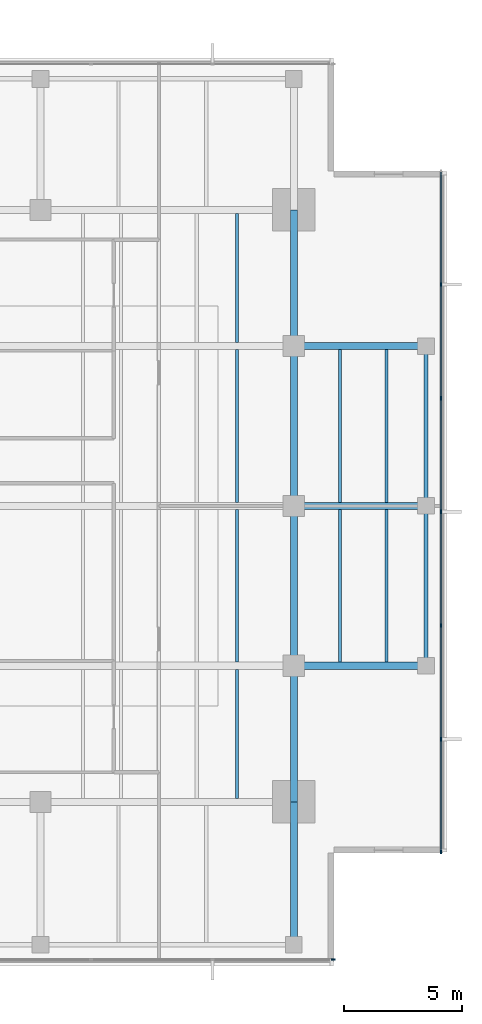
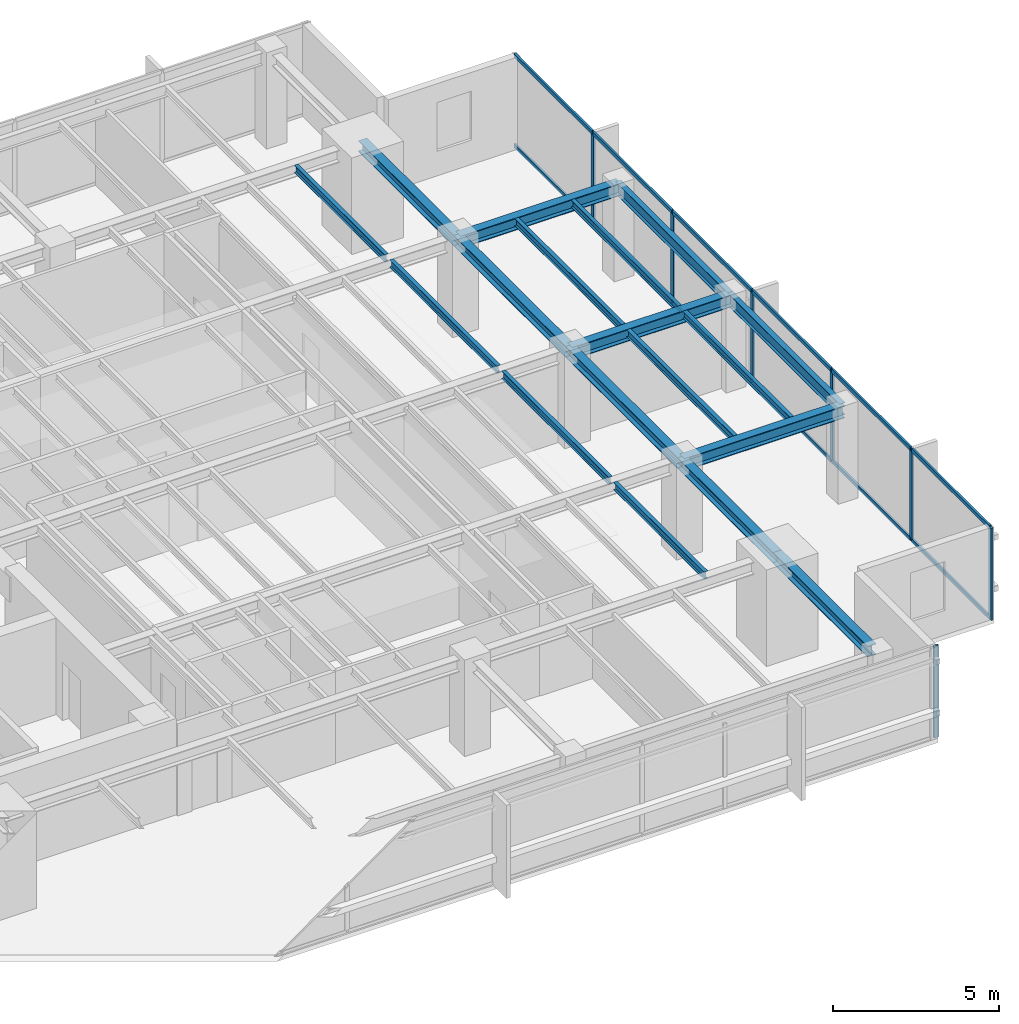
# One storey, part 4 of 14: 19 members, 18 beams, 2 elements without a shape of their own.
"""IFC4 building model written with IfcOpenShell, lengths in metres."""

from ifc_helpers import new_model, si_unit, direction, frame, origin, origin_2d, place, context, subcontext, project, spatial, rectangle, i_section, extrude, material, layer, layer_set, material_profile, profile_set, type_object, element, aggregate, save


model = new_model("IFC4")

# Units and contexts
model_context = context("Model", 3, precision=1e-05, world=origin(), true_north=direction((0.0, 1.0)))
body_context = subcontext(model_context, "Body", "Model", "MODEL_VIEW")
ifc_project = project(units=[si_unit("LENGTHUNIT", "METRE"), si_unit("AREAUNIT", "SQUARE_METRE"), si_unit("VOLUMEUNIT", "CUBIC_METRE"), si_unit("PLANEANGLEUNIT", "RADIAN"), si_unit("MASSUNIT", "GRAM", prefix="KILO")], contexts=[model_context])

# Site, building, storey
site_placement = place(None, origin())
site = spatial("IfcSite", under=ifc_project, at=site_placement, CompositionType="ELEMENT")
building_placement = place(site_placement, origin())
building = spatial("IfcBuilding", under=site, at=building_placement, Name="Kinhvarn Gate Tower", CompositionType="ELEMENT")
storey_placement = place(building_placement, frame((0.0, 0.0, 267.0)))
storey = spatial("IfcBuildingStorey", under=building, at=storey_placement, Name="L71", CompositionType="ELEMENT", Elevation=267.0)

# Curtain wall, member
ifc_material_1 = material(Name="Anodised aluminium AW-6063", Category="aluminium")
ifc_layer = layer(ifc_material_1, 0.179931640625)
ifc_layer_set = layer_set([ifc_layer], Name="Anodised aluminium AW-6063")
curtain_wall_type = type_object("IfcCurtainWallType", Name="CW-SYS-3", PredefinedType="NOTDEFINED", material=ifc_layer_set)
curtain_wall_1_placement = place(storey_placement, origin())
curtain_wall_1 = element("IfcCurtainWall", 1, at=curtain_wall_1_placement, inside=storey, type_object=curtain_wall_type, Name="Curtain Wall CW3 (L71)", PredefinedType="NOTDEFINED")
ifc_material_profile_1 = material_profile(ifc_material_1, rectangle(XDim=0.06494140625, YDim=0.159912109375, at=origin_2d()), Name="ALU 65x160")
ifc_profile_set_1 = profile_set([ifc_material_profile_1], Name="Anodised aluminium AW-6063")
member_type_1 = type_object("IfcMemberType", Name="CW-MUL-160", PredefinedType="MULLION", material=ifc_profile_set_1)
member_1_placement = place(storey_placement, frame((39.867431640625, 6.090087890625, 0.0), z_axis=(0.0, 0.0, 1.0), x_axis=(0.0, 1.0, 0.0)))
member_1 = element("IfcMember", 2, at=member_1_placement, type_object=member_type_1, Name="CW3 mullion 7", PredefinedType="MULLION", context=body_context, shape_type="SweptSolid", body=[
    extrude(rectangle(XDim=0.06494140625, YDim=0.159912109375, at=origin_2d()), origin(), (0.0, 0.0, 1.0), 3.389892578125),
])
aggregate(curtain_wall_1, [member_1])

# Curtain wall, members
curtain_wall_2_placement = place(storey_placement, origin())
curtain_wall_2 = element("IfcCurtainWall", 3, at=curtain_wall_2_placement, inside=storey, type_object=curtain_wall_type, Name="Curtain Wall CW3 (L71)", PredefinedType="NOTDEFINED")
member_2_placement = place(storey_placement, frame((44.409912109375, 10.632568359375, 0.0), z_axis=(0.0, 0.0, 1.0), x_axis=(-1.0, 0.0, 0.0)))
member_2 = element("IfcMember", 4, at=member_2_placement, type_object=member_type_1, Name="CW3 mullion 1", PredefinedType="MULLION", context=body_context, shape_type="SweptSolid", body=[
    extrude(rectangle(XDim=0.06494140625, YDim=0.159912109375, at=origin_2d()), origin(), (0.0, 0.0, 1.0), 3.389892578125),
])
member_3_placement = place(storey_placement, frame((44.409912109375, 15.39990234375, 0.0), z_axis=(0.0, 0.0, 1.0), x_axis=(-1.0, 0.0, 0.0)))
member_3 = element("IfcMember", 5, at=member_3_placement, type_object=member_type_1, Name="CW3 mullion 2", PredefinedType="MULLION", context=body_context, shape_type="SweptSolid", body=[
    extrude(rectangle(XDim=0.06494140625, YDim=0.159912109375, at=origin_2d()), origin(), (0.0, 0.0, 1.0), 3.389892578125),
])
member_4_placement = place(storey_placement, frame((44.409912109375, 20.199951171875, 0.0), z_axis=(0.0, 0.0, 1.0), x_axis=(-1.0, 0.0, 0.0)))
member_4 = element("IfcMember", 6, at=member_4_placement, type_object=member_type_1, Name="CW3 mullion 3", PredefinedType="MULLION", context=body_context, shape_type="SweptSolid", body=[
    extrude(rectangle(XDim=0.06494140625, YDim=0.159912109375, at=origin_2d()), origin(), (0.0, 0.0, 1.0), 3.389892578125),
])
member_5_placement = place(storey_placement, frame((44.409912109375, 25.0, 0.0), z_axis=(0.0, 0.0, 1.0), x_axis=(-1.0, 0.0, 0.0)))
member_5 = element("IfcMember", 7, at=member_5_placement, type_object=member_type_1, Name="CW3 mullion 4", PredefinedType="MULLION", context=body_context, shape_type="SweptSolid", body=[
    extrude(rectangle(XDim=0.06494140625, YDim=0.159912109375, at=origin_2d()), origin(), (0.0, 0.0, 1.0), 3.389892578125),
])
member_6_placement = place(storey_placement, frame((44.409912109375, 29.800048828125, 0.0), z_axis=(0.0, 0.0, 1.0), x_axis=(-1.0, 0.0, 0.0)))
member_6 = element("IfcMember", 8, at=member_6_placement, type_object=member_type_1, Name="CW3 mullion 5", PredefinedType="MULLION", context=body_context, shape_type="SweptSolid", body=[
    extrude(rectangle(XDim=0.06494140625, YDim=0.159912109375, at=origin_2d()), origin(), (0.0, 0.0, 1.0), 3.389892578125),
])
member_7_placement = place(storey_placement, frame((44.409912109375, 34.60009765625, 0.0), z_axis=(0.0, 0.0, 1.0), x_axis=(-1.0, 0.0, 0.0)))
member_7 = element("IfcMember", 9, at=member_7_placement, type_object=member_type_1, Name="CW3 mullion 6", PredefinedType="MULLION", context=body_context, shape_type="SweptSolid", body=[
    extrude(rectangle(XDim=0.06494140625, YDim=0.159912109375, at=origin_2d()), origin(), (0.0, 0.0, 1.0), 3.389892578125),
])
ifc_material_profile_2 = material_profile(ifc_material_1, rectangle(XDim=0.070068359375, YDim=0.139892578125, at=origin_2d()), Name="ALU 70x140")
ifc_profile_set_2 = profile_set([ifc_material_profile_2], Name="Anodised aluminium AW-6063")
member_type_2 = type_object("IfcMemberType", Name="CW-TRN-140", PredefinedType="USERDEFINED", material=ifc_profile_set_2)
member_8_placement = place(storey_placement, frame((44.409912109375, 10.6650390625, 0.034912109375), z_axis=(0.0, 1.0, 0.0), x_axis=(-1.0, 0.0, 0.0)))
member_8 = element("IfcMember", 10, at=member_8_placement, type_object=member_type_2, Name="CW3 transom 1.1", ObjectType="TRANSOM", PredefinedType="USERDEFINED", context=body_context, shape_type="SweptSolid", body=[
    extrude(rectangle(XDim=0.070068359375, YDim=0.139892578125, at=origin_2d()), origin(), (0.0, 0.0, 1.0), 4.702392578125),
])
member_9_placement = place(storey_placement, frame((44.409912109375, 10.6650390625, 3.35498046875), z_axis=(0.0, 1.0, 0.0), x_axis=(-1.0, 0.0, 0.0)))
member_9 = element("IfcMember", 11, at=member_9_placement, type_object=member_type_2, Name="CW3 transom 1.2", ObjectType="TRANSOM", PredefinedType="USERDEFINED", context=body_context, shape_type="SweptSolid", body=[
    extrude(rectangle(XDim=0.070068359375, YDim=0.139892578125, at=origin_2d()), origin(), (0.0, 0.0, 1.0), 4.702392578125),
])
member_10_placement = place(storey_placement, frame((44.409912109375, 15.4326171875, 0.034912109375), z_axis=(0.0, 1.0, 0.0), x_axis=(-1.0, 0.0, 0.0)))
member_10 = element("IfcMember", 12, at=member_10_placement, type_object=member_type_2, Name="CW3 transom 2.1", ObjectType="TRANSOM", PredefinedType="USERDEFINED", context=body_context, shape_type="SweptSolid", body=[
    extrude(rectangle(XDim=0.070068359375, YDim=0.139892578125, at=origin_2d()), origin(), (0.0, 0.0, 1.0), 4.73486328125),
])
member_11_placement = place(storey_placement, frame((44.409912109375, 15.4326171875, 3.35498046875), z_axis=(0.0, 1.0, 0.0), x_axis=(-1.0, 0.0, 0.0)))
member_11 = element("IfcMember", 13, at=member_11_placement, type_object=member_type_2, Name="CW3 transom 2.2", ObjectType="TRANSOM", PredefinedType="USERDEFINED", context=body_context, shape_type="SweptSolid", body=[
    extrude(rectangle(XDim=0.070068359375, YDim=0.139892578125, at=origin_2d()), origin(), (0.0, 0.0, 1.0), 4.73486328125),
])
member_12_placement = place(storey_placement, frame((44.409912109375, 20.232421875, 0.034912109375), z_axis=(0.0, 1.0, 0.0), x_axis=(-1.0, 0.0, 0.0)))
member_12 = element("IfcMember", 14, at=member_12_placement, type_object=member_type_2, Name="CW3 transom 3.1", ObjectType="TRANSOM", PredefinedType="USERDEFINED", context=body_context, shape_type="SweptSolid", body=[
    extrude(rectangle(XDim=0.070068359375, YDim=0.139892578125, at=origin_2d()), origin(), (0.0, 0.0, 1.0), 4.735107421875),
])
member_13_placement = place(storey_placement, frame((44.409912109375, 20.232421875, 3.35498046875), z_axis=(0.0, 1.0, 0.0), x_axis=(-1.0, 0.0, 0.0)))
member_13 = element("IfcMember", 15, at=member_13_placement, type_object=member_type_2, Name="CW3 transom 3.2", ObjectType="TRANSOM", PredefinedType="USERDEFINED", context=body_context, shape_type="SweptSolid", body=[
    extrude(rectangle(XDim=0.070068359375, YDim=0.139892578125, at=origin_2d()), origin(), (0.0, 0.0, 1.0), 4.735107421875),
])
member_14_placement = place(storey_placement, frame((44.409912109375, 25.032470703125, 0.034912109375), z_axis=(0.0, 1.0, 0.0), x_axis=(-1.0, 0.0, 0.0)))
member_14 = element("IfcMember", 16, at=member_14_placement, type_object=member_type_2, Name="CW3 transom 4.1", ObjectType="TRANSOM", PredefinedType="USERDEFINED", context=body_context, shape_type="SweptSolid", body=[
    extrude(rectangle(XDim=0.070068359375, YDim=0.139892578125, at=origin_2d()), origin(), (0.0, 0.0, 1.0), 4.735107421875),
])
member_15_placement = place(storey_placement, frame((44.409912109375, 25.032470703125, 3.35498046875), z_axis=(0.0, 1.0, 0.0), x_axis=(-1.0, 0.0, 0.0)))
member_15 = element("IfcMember", 17, at=member_15_placement, type_object=member_type_2, Name="CW3 transom 4.2", ObjectType="TRANSOM", PredefinedType="USERDEFINED", context=body_context, shape_type="SweptSolid", body=[
    extrude(rectangle(XDim=0.070068359375, YDim=0.139892578125, at=origin_2d()), origin(), (0.0, 0.0, 1.0), 4.735107421875),
])
member_16_placement = place(storey_placement, frame((44.409912109375, 29.83251953125, 0.034912109375), z_axis=(0.0, 1.0, 0.0), x_axis=(-1.0, 0.0, 0.0)))
member_16 = element("IfcMember", 18, at=member_16_placement, type_object=member_type_2, Name="CW3 transom 5.1", ObjectType="TRANSOM", PredefinedType="USERDEFINED", context=body_context, shape_type="SweptSolid", body=[
    extrude(rectangle(XDim=0.070068359375, YDim=0.139892578125, at=origin_2d()), origin(), (0.0, 0.0, 1.0), 4.73486328125),
])
member_17_placement = place(storey_placement, frame((44.409912109375, 29.83251953125, 3.35498046875), z_axis=(0.0, 1.0, 0.0), x_axis=(-1.0, 0.0, 0.0)))
member_17 = element("IfcMember", 19, at=member_17_placement, type_object=member_type_2, Name="CW3 transom 5.2", ObjectType="TRANSOM", PredefinedType="USERDEFINED", context=body_context, shape_type="SweptSolid", body=[
    extrude(rectangle(XDim=0.070068359375, YDim=0.139892578125, at=origin_2d()), origin(), (0.0, 0.0, 1.0), 4.73486328125),
])
member_18_placement = place(storey_placement, frame((44.409912109375, 34.632568359375, 0.034912109375), z_axis=(0.0, 1.0, 0.0), x_axis=(-1.0, 0.0, 0.0)))
member_18 = element("IfcMember", 20, at=member_18_placement, type_object=member_type_2, Name="CW3 transom 6.1", ObjectType="TRANSOM", PredefinedType="USERDEFINED", context=body_context, shape_type="SweptSolid", body=[
    extrude(rectangle(XDim=0.070068359375, YDim=0.139892578125, at=origin_2d()), origin(), (0.0, 0.0, 1.0), 4.702392578125),
])
member_19_placement = place(storey_placement, frame((44.409912109375, 34.632568359375, 3.35498046875), z_axis=(0.0, 1.0, 0.0), x_axis=(-1.0, 0.0, 0.0)))
member_19 = element("IfcMember", 21, at=member_19_placement, type_object=member_type_2, Name="CW3 transom 6.2", ObjectType="TRANSOM", PredefinedType="USERDEFINED", context=body_context, shape_type="SweptSolid", body=[
    extrude(rectangle(XDim=0.070068359375, YDim=0.139892578125, at=origin_2d()), origin(), (0.0, 0.0, 1.0), 4.702392578125),
])
aggregate(curtain_wall_2, [member_2, member_3, member_4, member_5, member_6, member_7, member_8, member_9, member_10, member_11, member_12, member_13, member_14, member_15, member_16, member_17, member_18, member_19])

# Beams
ifc_material_2 = material(Name="Steel S355", Category="steel")
ifc_material_profile_3 = material_profile(ifc_material_2, i_section(OverallWidth=0.300048828125, OverallDepth=0.39990234375, WebThickness=0.013427734375, FlangeThickness=0.02392578125, at=origin_2d()), Name="HEB 400")
ifc_profile_set_3 = profile_set([ifc_material_profile_3], Name="Steel S355")
beam_type_1 = type_object("IfcBeamType", Name="STL-HEB400", PredefinedType="BEAM", material=ifc_profile_set_3)
beam_1_placement = place(storey_placement, frame((38.199951171875, 7.054931640625, 3.18994140625), z_axis=(0.0, 1.0, 0.0), x_axis=(-1.0, 0.0, 0.0)))
element("IfcBeam", 22, at=beam_1_placement, inside=storey, type_object=beam_type_1, Name="Floor Beam PG-12 (L71 MCE-S)", PredefinedType="BEAM", context=body_context, shape_type="SweptSolid", body=[
    extrude(i_section(OverallWidth=0.300048828125, OverallDepth=0.39990234375, WebThickness=0.013427734375, FlangeThickness=0.02392578125, at=origin_2d()), origin(), (0.0, 0.0, 1.0), 5.695068359375),
])
beam_2_placement = place(storey_placement, frame((38.199951171875, 12.75, 3.18994140625), z_axis=(0.0, 1.0, 0.0), x_axis=(-1.0, 0.0, 0.0)))
element("IfcBeam", 23, at=beam_2_placement, inside=storey, type_object=beam_type_1, Name="Floor Beam PG-12 (L71 MG-E-12)", PredefinedType="BEAM", context=body_context, shape_type="SweptSolid", body=[
    extrude(i_section(OverallWidth=0.300048828125, OverallDepth=0.39990234375, WebThickness=0.013427734375, FlangeThickness=0.02392578125, at=origin_2d()), origin(), (0.0, 0.0, 1.0), 5.75),
])
for number, where, z_axis, x_axis, name in (
    (24, (38.199951171875, 18.5, 3.18994140625), (0.0, 1.0, 0.0), (-1.0, 0.0, 0.0), "Floor Beam PG-12 (L71 MG-E-18)"),
    (25, (38.199951171875, 25.25, 3.18994140625), (0.0, 1.0, 0.0), (-1.0, 0.0, 0.0), "Floor Beam PG-12 (L71 MG-E-25)"),
):
    element("IfcBeam", number, at=place(storey_placement, frame(where, z_axis=z_axis, x_axis=x_axis)), inside=storey, type_object=beam_type_1, Name=name, PredefinedType="BEAM", context=body_context, shape_type="SweptSolid", body=[
        extrude(i_section(OverallWidth=0.300048828125, OverallDepth=0.39990234375, WebThickness=0.013427734375, FlangeThickness=0.02392578125, at=origin_2d()), origin(), (0.0, 0.0, 1.0), 6.75),
    ])
beam_3_placement = place(storey_placement, frame((38.199951171875, 32.0, 3.18994140625), z_axis=(0.0, 1.0, 0.0), x_axis=(-1.0, 0.0, 0.0)))
element("IfcBeam", 26, at=beam_3_placement, inside=storey, type_object=beam_type_1, Name="Floor Beam PG-12 (L71 MG-E-32)", PredefinedType="BEAM", context=body_context, shape_type="SweptSolid", body=[
    extrude(i_section(OverallWidth=0.300048828125, OverallDepth=0.39990234375, WebThickness=0.013427734375, FlangeThickness=0.02392578125, at=origin_2d()), origin(), (0.0, 0.0, 1.0), 5.75),
])
ifc_material_profile_4 = material_profile(ifc_material_2, i_section(OverallWidth=0.300048828125, OverallDepth=0.449951171875, WebThickness=0.013916015625, FlangeThickness=0.02587890625, at=origin_2d()), Name="HEB 450")
ifc_profile_set_4 = profile_set([ifc_material_profile_4], Name="Steel S355")
beam_type_2 = type_object("IfcBeamType", Name="STL-HEB450", PredefinedType="BEAM", material=ifc_profile_set_4)
for number, where, z_axis, x_axis, name in (
    (27, (38.199951171875, 18.5, 3.1650390625), (1.0, 0.0, 0.0), (0.0, 1.0, 0.0), "Floor Beam PG-13 (L71 EW2-Y18)"),
    (28, (38.199951171875, 25.25, 3.1650390625), (1.0, 0.0, 0.0), (0.0, 1.0, 0.0), "Floor Beam PG-13 (L71 EW2-Y25)"),
    (29, (38.199951171875, 32.0, 3.1650390625), (1.0, 0.0, 0.0), (0.0, 1.0, 0.0), "Floor Beam PG-13 (L71 EW2-Y32)"),
):
    element("IfcBeam", number, at=place(storey_placement, frame(where, z_axis=z_axis, x_axis=x_axis)), inside=storey, type_object=beam_type_2, Name=name, PredefinedType="BEAM", context=body_context, shape_type="SweptSolid", body=[
        extrude(i_section(OverallWidth=0.300048828125, OverallDepth=0.449951171875, WebThickness=0.013916015625, FlangeThickness=0.02587890625, at=origin_2d()), origin(), (0.0, 0.0, 1.0), 5.580078125),
    ])
ifc_material_profile_5 = material_profile(ifc_material_2, i_section(OverallWidth=0.135009765625, OverallDepth=0.27001953125, WebThickness=0.006591796875, FlangeThickness=0.01025390625, at=origin_2d()), Name="IPE 270")
ifc_profile_set_5 = profile_set([ifc_material_profile_5], Name="Steel S355")
beam_type_3 = type_object("IfcBeamType", Name="STL-IPE270", PredefinedType="JOIST", material=ifc_profile_set_5)
beam_4_placement = place(storey_placement, frame((35.800048828125, 12.89990234375, 3.2548828125), z_axis=(0.0, 1.0, 0.0), x_axis=(-1.0, 0.0, 0.0)))
element("IfcBeam", 30, at=beam_4_placement, inside=storey, type_object=beam_type_3, Name="Floor Joist SB-01 (L71 JC-X358-0)", PredefinedType="JOIST", context=body_context, shape_type="SweptSolid", body=[
    extrude(i_section(OverallWidth=0.135009765625, OverallDepth=0.27001953125, WebThickness=0.006591796875, FlangeThickness=0.01025390625, at=origin_2d()), origin(), (0.0, 0.0, 1.0), 5.4501953125),
])
for number, where, z_axis, x_axis, name in (
    (31, (35.800048828125, 18.64990234375, 3.2548828125), (0.0, 1.0, 0.0), (-1.0, 0.0, 0.0), "Floor Joist SB-01 (L71 JC-X358-1)"),
    (32, (35.800048828125, 25.39990234375, 3.2548828125), (0.0, 1.0, 0.0), (-1.0, 0.0, 0.0), "Floor Joist SB-01 (L71 JC-X358-2)"),
):
    element("IfcBeam", number, at=place(storey_placement, frame(where, z_axis=z_axis, x_axis=x_axis)), inside=storey, type_object=beam_type_3, Name=name, PredefinedType="JOIST", context=body_context, shape_type="SweptSolid", body=[
        extrude(i_section(OverallWidth=0.135009765625, OverallDepth=0.27001953125, WebThickness=0.006591796875, FlangeThickness=0.01025390625, at=origin_2d()), origin(), (0.0, 0.0, 1.0), 6.4501953125),
    ])
beam_5_placement = place(storey_placement, frame((35.800048828125, 32.14990234375, 3.2548828125), z_axis=(0.0, 1.0, 0.0), x_axis=(-1.0, 0.0, 0.0)))
element("IfcBeam", 33, at=beam_5_placement, inside=storey, type_object=beam_type_3, Name="Floor Joist SB-01 (L71 JC-X358-3)", PredefinedType="JOIST", context=body_context, shape_type="SweptSolid", body=[
    extrude(i_section(OverallWidth=0.135009765625, OverallDepth=0.27001953125, WebThickness=0.006591796875, FlangeThickness=0.01025390625, at=origin_2d()), origin(), (0.0, 0.0, 1.0), 5.4501953125),
])
for number, where, z_axis, x_axis, name in (
    (34, (40.14990234375, 18.64990234375, 3.2548828125), (0.0, 1.0, 0.0), (-1.0, 0.0, 0.0), "Floor Joist SB-01 (L71 JC-X401-1)"),
    (35, (40.14990234375, 25.39990234375, 3.2548828125), (0.0, 1.0, 0.0), (-1.0, 0.0, 0.0), "Floor Joist SB-01 (L71 JC-X401-2)"),
    (36, (42.110107421875, 18.64990234375, 3.2548828125), (0.0, 1.0, 0.0), (-1.0, 0.0, 0.0), "Floor Joist SB-01 (L71 JC-X421-1)"),
    (37, (42.110107421875, 25.39990234375, 3.2548828125), (0.0, 1.0, 0.0), (-1.0, 0.0, 0.0), "Floor Joist SB-01 (L71 JC-X421-2)"),
):
    element("IfcBeam", number, at=place(storey_placement, frame(where, z_axis=z_axis, x_axis=x_axis)), inside=storey, type_object=beam_type_3, Name=name, PredefinedType="JOIST", context=body_context, shape_type="SweptSolid", body=[
        extrude(i_section(OverallWidth=0.135009765625, OverallDepth=0.27001953125, WebThickness=0.006591796875, FlangeThickness=0.01025390625, at=origin_2d()), origin(), (0.0, 0.0, 1.0), 6.4501953125),
    ])
ifc_material_profile_6 = material_profile(ifc_material_2, i_section(OverallWidth=0.18994140625, OverallDepth=0.449951171875, WebThickness=0.009521484375, FlangeThickness=0.0146484375, at=origin_2d()), Name="IPE 450")
ifc_profile_set_6 = profile_set([ifc_material_profile_6], Name="Steel S355")
beam_type_4 = type_object("IfcBeamType", Name="STL-IPE450", PredefinedType="JOIST", material=ifc_profile_set_6)
for number, where, z_axis, x_axis, name in (
    (38, (43.780029296875, 18.5, 3.1650390625), (0.0, 1.0, 0.0), (-1.0, 0.0, 0.0), "Floor Joist SB-06 (L71 SP-E2)"),
    (39, (43.780029296875, 25.25, 3.1650390625), (0.0, 1.0, 0.0), (-1.0, 0.0, 0.0), "Floor Joist SB-06 (L71 SP-E3)"),
):
    element("IfcBeam", number, at=place(storey_placement, frame(where, z_axis=z_axis, x_axis=x_axis)), inside=storey, type_object=beam_type_4, Name=name, PredefinedType="JOIST", context=body_context, shape_type="SweptSolid", body=[
        extrude(i_section(OverallWidth=0.18994140625, OverallDepth=0.449951171875, WebThickness=0.009521484375, FlangeThickness=0.0146484375, at=origin_2d()), origin(), (0.0, 0.0, 1.0), 6.75),
    ])

save(model, "model.ifc")
